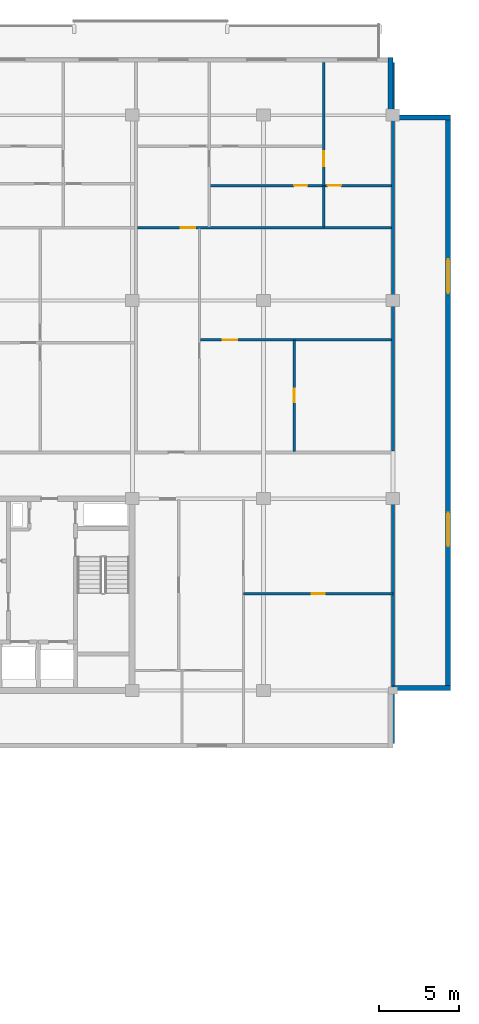
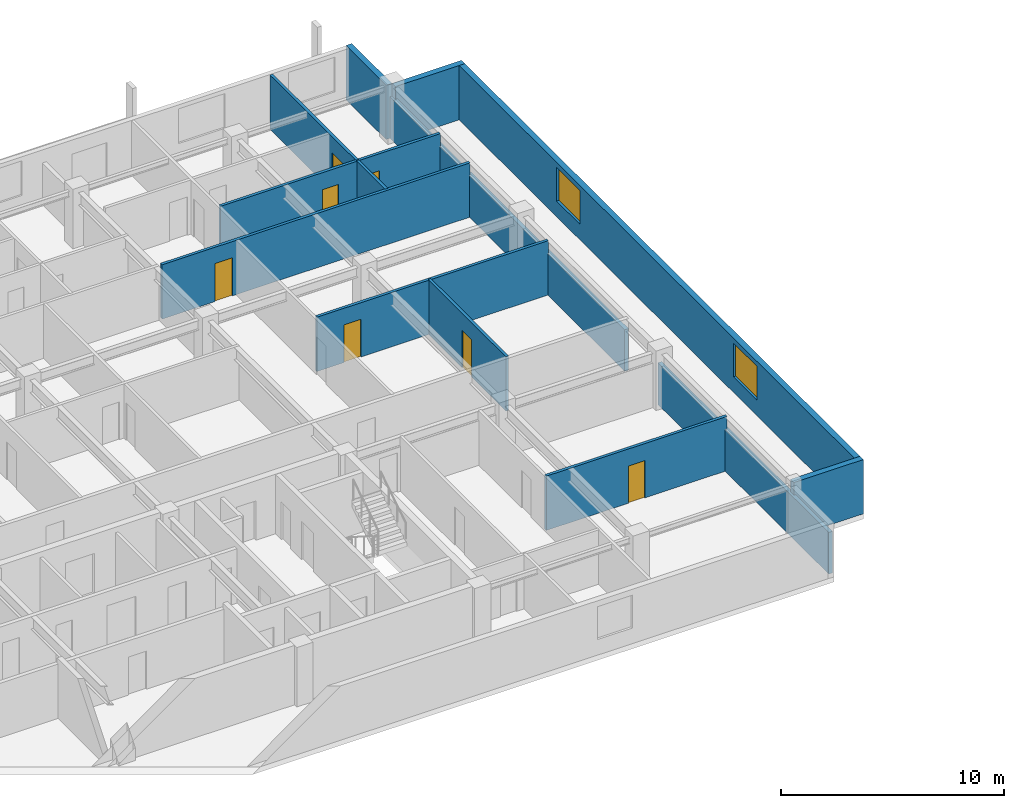
# One storey, part 24 of 30: 13 walls, 7 doors, 2 windows, 9 openings.
"""IFC4 building model written with IfcOpenShell, lengths in metres."""

from ifc_helpers import new_model, si_unit, direction, frame, frame_2d, origin, place, context, subcontext, project, spatial, rectangle, extrude, material, layer, layer_set, type_object, element, fill, save


model = new_model("IFC4")

# Units and contexts
model_context = context("Model", 3, precision=1e-05, world=origin(), true_north=direction((0.0, 1.0)))
body_context = subcontext(model_context, "Body", "Model", "MODEL_VIEW")
ifc_project = project(units=[si_unit("LENGTHUNIT", "METRE"), si_unit("AREAUNIT", "SQUARE_METRE"), si_unit("VOLUMEUNIT", "CUBIC_METRE"), si_unit("PLANEANGLEUNIT", "RADIAN"), si_unit("MASSUNIT", "GRAM", prefix="KILO")], contexts=[model_context])

# Site, building, storey
site_placement = place(None, origin())
site = spatial("IfcSite", under=ifc_project, at=site_placement, CompositionType="ELEMENT")
building_placement = place(site_placement, origin())
building = spatial("IfcBuilding", under=site, at=building_placement, Name="Korimba Cascade Residences", CompositionType="ELEMENT")
storey_placement = place(building_placement, frame((0.0, 0.0, 201.10009765625)))
storey = spatial("IfcBuildingStorey", under=building, at=storey_placement, Name="L58", CompositionType="ELEMENT", Elevation=201.10009765625)

# Wall
ifc_material_1 = material(Name="Precast concrete C40/50", Category="concrete")
ifc_layer_1 = layer(ifc_material_1, 0.300048828125)
ifc_layer_set_1 = layer_set([ifc_layer_1], Name="Precast concrete C40/50")
wall_type_1 = type_object("IfcWallType", Name="EW-STONE-300", PredefinedType="STANDARD", material=ifc_layer_set_1)
wall_1_placement = place(storey_placement, frame((128.39990234375, 55.35009765625, 0.0), z_axis=(0.0, 0.0, 1.0), x_axis=(1.0, 0.0, 0.0)))
element("IfcWall", 1, at=wall_1_placement, inside=storey, type_object=wall_type_1, Name="L58 T1 Perimeter Stone Wall E02", PredefinedType="STANDARD", context=body_context, shape_type="SweptSolid", body=[
    extrude(rectangle(XDim=3.60009765625, YDim=0.300048828125, at=frame_2d((1.800048828125, 0.0))), origin(), (0.0, 0.0, 1.0), 2.969970703125),
])

# Wall, openings, windows
wall_2_placement = place(storey_placement, frame((131.85009765625, 55.199951171875, 0.0), z_axis=(0.0, 0.0, 1.0), x_axis=(0.0, 1.0, 0.0)))
wall_2 = element("IfcWall", 2, at=wall_2_placement, inside=storey, type_object=wall_type_1, Name="L58 T1 Perimeter Stone Wall E03", PredefinedType="STANDARD", context=body_context, shape_type="SweptSolid", body=[
    extrude(rectangle(XDim=36.0, YDim=0.300048828125, at=frame_2d((18.0, 0.0))), origin(), (0.0, 0.0, 1.0), 2.969970703125),
])
opening_1_placement = place(wall_2_placement, frame((9.030029296875, 0.0, 0.85009765625)))
opening_1 = element("IfcOpeningElement", 3, at=opening_1_placement, cuts=wall_2, Name="Opening W-03", PredefinedType="OPENING", context=body_context, shape_type="SweptSolid", body=[
    extrude(rectangle(XDim=2.10009765625, YDim=1.85009765625, at=frame_2d((1.050048828125, 0.925048828125))), frame((0.0, 0.16015625, 0.0), z_axis=(0.0, -1.0, 0.0), x_axis=(1.0, 0.0, 0.0)), (0.0, 0.0, 1.0), 0.320068359375),
])
opening_2_placement = place(wall_2_placement, frame((24.8701171875, 0.0, 0.85009765625)))
opening_2 = element("IfcOpeningElement", 4, at=opening_2_placement, cuts=wall_2, Name="Opening W-03", PredefinedType="OPENING", context=body_context, shape_type="SweptSolid", body=[
    extrude(rectangle(XDim=2.10009765625, YDim=1.85009765625, at=frame_2d((1.050048828125, 0.925048828125))), frame((0.0, 0.16015625, 0.0), z_axis=(0.0, -1.0, 0.0), x_axis=(1.0, 0.0, 0.0)), (0.0, 0.0, 1.0), 0.320068359375),
])
ifc_material_2 = material(Name="Double-Glazed Aluminium Window", Category="aluminium")
window_type = type_object("IfcWindowType", Name="WIN-CRN-2100", PartitioningType="DOUBLE_PANEL_HORIZONTAL", PredefinedType="WINDOW", material=ifc_material_2)
window_1_placement = place(opening_1_placement, origin())
window_1 = element("IfcWindow", 5, at=window_1_placement, inside=storey, type_object=window_type, Name="L58 T1 End View Window 3.1", OverallHeight=1.85009765625, OverallWidth=2.10009765625, PartitioningType="DOUBLE_PANEL_HORIZONTAL", PredefinedType="WINDOW", context=body_context, shape_type="SweptSolid", body=[
    extrude(rectangle(XDim=2.10009765625, YDim=1.85009765625, at=frame_2d((1.050048828125, 0.925048828125))), frame((0.0, 0.030029296875, 0.0), z_axis=(0.0, -1.0, 0.0), x_axis=(1.0, 0.0, 0.0)), (0.0, 0.0, 1.0), 0.06005859375),
])
fill(opening_1, window_1)
window_2_placement = place(opening_2_placement, origin())
window_2 = element("IfcWindow", 6, at=window_2_placement, inside=storey, type_object=window_type, Name="L58 T1 End View Window 3.2", OverallHeight=1.85009765625, OverallWidth=2.10009765625, PartitioningType="DOUBLE_PANEL_HORIZONTAL", PredefinedType="WINDOW", context=body_context, shape_type="SweptSolid", body=[
    extrude(rectangle(XDim=2.10009765625, YDim=1.85009765625, at=frame_2d((1.050048828125, 0.925048828125))), frame((0.0, 0.030029296875, 0.0), z_axis=(0.0, -1.0, 0.0), x_axis=(1.0, 0.0, 0.0)), (0.0, 0.0, 1.0), 0.06005859375),
])
fill(opening_2, window_2)

# Walls
for number, where, z_axis, x_axis, name in (
    (7, (132.0, 91.050048828125, 0.0), (0.0, 0.0, 1.0), (-1.0, 0.0, 0.0), "L58 T1 Perimeter Stone Wall E04"),
    (8, (128.25, 91.199951171875, 0.0), (0.0, 0.0, 1.0), (0.0, 1.0, 0.0), "L58 T1 Perimeter Stone Wall E05"),
):
    element("IfcWall", number, at=place(storey_placement, frame(where, z_axis=z_axis, x_axis=x_axis)), inside=storey, type_object=wall_type_1, Name=name, PredefinedType="STANDARD", context=body_context, shape_type="SweptSolid", body=[
        extrude(rectangle(XDim=3.60009765625, YDim=0.300048828125, at=frame_2d((1.800048828125, 0.0))), origin(), (0.0, 0.0, 1.0), 2.969970703125),
    ])
ifc_layer_2 = layer(ifc_material_1, 0.199951171875)
ifc_layer_set_2 = layer_set([ifc_layer_2], Name="Precast concrete C40/50")
wall_type_2 = type_object("IfcWallType", Name="WAL-IT-200", PredefinedType="PARTITIONING", material=ifc_layer_set_2)
wall_3_placement = place(storey_placement, frame((128.39990234375, 51.89990234375, 0.0), z_axis=(0.0, 0.0, 1.0), x_axis=(0.0, 1.0, 0.0)))
element("IfcWall", 9, at=wall_3_placement, inside=storey, type_object=wall_type_2, Name="L58 Partition Wall WAL-L58-T1-FE-WR", PredefinedType="PARTITIONING", context=body_context, shape_type="SweptSolid", body=[
    extrude(rectangle(XDim=15.300048828125, YDim=0.199951171875, at=frame_2d((7.64990234375, 0.0))), origin(), (0.0, 0.0, 1.0), 2.277099609375),
])
wall_4_placement = place(storey_placement, frame((128.39990234375, 70.179931640625, 0.0), z_axis=(0.0, 0.0, 1.0), x_axis=(0.0, 1.0, 0.0)))
element("IfcWall", 10, at=wall_4_placement, inside=storey, type_object=wall_type_2, Name="L58 Partition Wall WAL-L58-T1-BNDWR", PredefinedType="PARTITIONING", context=body_context, shape_type="SweptSolid", body=[
    extrude(rectangle(XDim=24.320068359375, YDim=0.199951171875, at=frame_2d((12.16015625, 0.0))), origin(), (0.0, 0.0, 1.0), 2.277099609375),
])

# Wall, opening, door
ifc_material_3 = material(Name="Insulated Acoustic Stud Partition", Category="gypsum")
ifc_layer_3 = layer(ifc_material_3, 0.14990234375)
ifc_layer_set_3 = layer_set([ifc_layer_3], Name="Insulated Acoustic Stud Partition")
wall_type_3 = type_object("IfcWallType", Name="WAL-PART-150", PredefinedType="PARTITIONING", material=ifc_layer_set_3)
wall_5_placement = place(storey_placement, frame((119.050048828125, 61.25, 0.0), z_axis=(0.0, 0.0, 1.0), x_axis=(1.0, 0.0, 0.0)))
wall_5 = element("IfcWall", 11, at=wall_5_placement, inside=storey, type_object=wall_type_3, Name="L58 Partition Wall WAL-L58-T1-FE-STH", PredefinedType="PARTITIONING", context=body_context, shape_type="SweptSolid", body=[
    extrude(rectangle(XDim=9.349853515625, YDim=0.14990234375, at=frame_2d((4.6748046875, 0.0))), origin(), (0.0, 0.0, 1.0), 2.969970703125),
])
opening_3_placement = place(wall_5_placement, frame((4.2548828125, 0.0, 0.0)))
opening_3 = element("IfcOpeningElement", 12, at=opening_3_placement, cuts=wall_5, Name="Opening D-BT1", PredefinedType="OPENING", context=body_context, shape_type="SweptSolid", body=[
    extrude(rectangle(XDim=0.840087890625, YDim=2.0400390625, at=frame_2d((0.419921875, 1.02001953125))), frame((0.0, 0.0849609375, 0.0), z_axis=(0.0, -1.0, 0.0), x_axis=(1.0, 0.0, 0.0)), (0.0, 0.0, 1.0), 0.169921875),
])
ifc_material_4 = material(Name="Moisture-Resistant Bathroom Timber Door", Category="wood")
door_type_1 = type_object("IfcDoorType", Name="DR-INT-850", OperationType="NOTDEFINED", PredefinedType="DOOR", material=ifc_material_4)
door_1_placement = place(opening_3_placement, origin())
door_1 = element("IfcDoor", 13, at=door_1_placement, inside=storey, type_object=door_type_1, Name="L58-T1-FE Dressing Store Door", OperationType="SINGLE_SWING_RIGHT", OverallHeight=2.0400390625, OverallWidth=0.840087890625, PredefinedType="DOOR", context=body_context, shape_type="SweptSolid", body=[
    extrude(rectangle(XDim=0.840087890625, YDim=2.0400390625, at=frame_2d((0.419921875, 1.02001953125))), frame((0.0, 0.02490234375, 0.0), z_axis=(0.0, -1.0, 0.0), x_axis=(1.0, 0.0, 0.0)), (0.0, 0.0, 1.0), 0.050048828125),
])
fill(opening_3, door_1)

wall_6_placement = place(storey_placement, frame((122.2177734375, 70.159912109375, 0.0), z_axis=(0.0, 0.0, 1.0), x_axis=(0.0, 1.0, 0.0)))
wall_6 = element("IfcWall", 14, at=wall_6_placement, inside=storey, type_object=wall_type_3, Name="L58 Partition Wall WAL-L58-T1-U04-FMV", PredefinedType="PARTITIONING", context=body_context, shape_type="SweptSolid", body=[
    extrude(rectangle(XDim=6.97509765625, YDim=0.14990234375, at=frame_2d((3.487548828125, 0.0))), origin(), (0.0, 0.0, 1.0), 2.969970703125),
])
opening_4_placement = place(wall_6_placement, frame((3.0673828125, 0.0, 0.0)))
opening_4 = element("IfcOpeningElement", 15, at=opening_4_placement, cuts=wall_6, Name="Opening D-BT1", PredefinedType="OPENING", context=body_context, shape_type="SweptSolid", body=[
    extrude(rectangle(XDim=0.840087890625, YDim=2.0400390625, at=frame_2d((0.419921875, 1.02001953125))), frame((0.0, 0.0849609375, 0.0), z_axis=(0.0, -1.0, 0.0), x_axis=(1.0, 0.0, 0.0)), (0.0, 0.0, 1.0), 0.169921875),
])
door_2_placement = place(opening_4_placement, origin())
door_2 = element("IfcDoor", 16, at=door_2_placement, inside=storey, type_object=door_type_1, Name="L58-T1-U04 Wardrobe Door", OperationType="SINGLE_SWING_LEFT", OverallHeight=2.0400390625, OverallWidth=0.840087890625, PredefinedType="DOOR", context=body_context, shape_type="SweptSolid", body=[
    extrude(rectangle(XDim=0.840087890625, YDim=2.0400390625, at=frame_2d((0.419921875, 1.02001953125))), frame((0.0, 0.02490234375, 0.0), z_axis=(0.0, -1.0, 0.0), x_axis=(1.0, 0.0, 0.0)), (0.0, 0.0, 1.0), 0.050048828125),
])
fill(opening_4, door_2)

wall_7_placement = place(storey_placement, frame((116.355712890625, 77.135009765625, 0.0), z_axis=(0.0, 0.0, 1.0), x_axis=(1.0, 0.0, 0.0)))
wall_7 = element("IfcWall", 17, at=wall_7_placement, inside=storey, type_object=wall_type_3, Name="L58 Partition Wall WAL-L58-T1-U04-FMH", PredefinedType="PARTITIONING", context=body_context, shape_type="SweptSolid", body=[
    extrude(rectangle(XDim=11.96435546875, YDim=0.14990234375, at=frame_2d((5.982177734375, 0.0))), origin(), (0.0, 0.0, 1.0), 2.969970703125),
])
opening_5_placement = place(wall_7_placement, frame((1.408935546875, 0.0, 0.0)))
opening_5 = element("IfcOpeningElement", 18, at=opening_5_placement, cuts=wall_7, Name="Opening D-IN2", PredefinedType="OPENING", context=body_context, shape_type="SweptSolid", body=[
    extrude(rectangle(XDim=0.8798828125, YDim=2.06005859375, at=frame_2d((0.43994140625, 1.030029296875))), frame((0.0, 0.0849609375, 0.0), z_axis=(0.0, -1.0, 0.0), x_axis=(1.0, 0.0, 0.0)), (0.0, 0.0, 1.0), 0.169921875),
])
ifc_material_5 = material(Name="Acoustic Timber Bedroom Door", Category="wood")
door_type_2 = type_object("IfcDoorType", Name="DR-INT-880", OperationType="NOTDEFINED", PredefinedType="DOOR", material=ifc_material_5)
door_3_placement = place(opening_5_placement, origin())
door_3 = element("IfcDoor", 19, at=door_3_placement, inside=storey, type_object=door_type_2, Name="L58-T1-U04 Library Salon Door", OperationType="SINGLE_SWING_RIGHT", OverallHeight=2.06005859375, OverallWidth=0.8798828125, PredefinedType="DOOR", context=body_context, shape_type="SweptSolid", body=[
    extrude(rectangle(XDim=0.8798828125, YDim=2.06005859375, at=frame_2d((0.43994140625, 1.030029296875))), frame((0.0, 0.02490234375, 0.0), z_axis=(0.0, -1.0, 0.0), x_axis=(1.0, 0.0, 0.0)), (0.0, 0.0, 1.0), 0.050048828125),
])
fill(opening_5, door_3)

# Wall
wall_8_placement = place(storey_placement, frame((124.070068359375, 84.18994140625, 0.0), z_axis=(0.0, 0.0, 1.0), x_axis=(0.0, 1.0, 0.0)))
element("IfcWall", 20, at=wall_8_placement, inside=storey, type_object=wall_type_3, Name="L58 Partition Wall WAL-L58-T1-U04-VBATH", PredefinedType="PARTITIONING", context=body_context, shape_type="SweptSolid", body=[
    extrude(rectangle(XDim=2.580078125, YDim=0.14990234375, at=frame_2d((1.2900390625, 0.0))), origin(), (0.0, 0.0, 1.0), 2.969970703125),
])

# Wall, opening, door
wall_9_placement = place(storey_placement, frame((124.070068359375, 86.81005859375, 0.0), z_axis=(0.0, 0.0, 1.0), x_axis=(0.0, 1.0, 0.0)))
wall_9 = element("IfcWall", 21, at=wall_9_placement, inside=storey, type_object=wall_type_3, Name="L58 Partition Wall WAL-L58-T1-U04-V2FULL", PredefinedType="PARTITIONING", context=body_context, shape_type="SweptSolid", body=[
    extrude(rectangle(XDim=7.68994140625, YDim=0.14990234375, at=frame_2d((3.844970703125, 0.0))), origin(), (0.0, 0.0, 1.0), 2.969970703125),
])
opening_6_placement = place(wall_9_placement, frame((1.199951171875, 0.0, 0.0)))
opening_6 = element("IfcOpeningElement", 22, at=opening_6_placement, cuts=wall_9, Name="Opening D-IN1", PredefinedType="OPENING", context=body_context, shape_type="SweptSolid", body=[
    extrude(rectangle(XDim=0.919921875, YDim=2.080078125, at=frame_2d((0.4599609375, 1.0400390625))), frame((0.0, 0.0849609375, 0.0), z_axis=(0.0, -1.0, 0.0), x_axis=(1.0, 0.0, 0.0)), (0.0, 0.0, 1.0), 0.169921875),
])
ifc_material_6 = material(Name="Acoustic Timber Living Door", Category="wood")
door_type_3 = type_object("IfcDoorType", Name="DR-INT-920", OperationType="NOTDEFINED", PredefinedType="DOOR", material=ifc_material_6)
door_4_placement = place(opening_6_placement, origin())
door_4 = element("IfcDoor", 23, at=door_4_placement, inside=storey, type_object=door_type_3, Name="L58-T1-U04 Master Bedroom Door", OperationType="SINGLE_SWING_LEFT", OverallHeight=2.080078125, OverallWidth=0.919921875, PredefinedType="DOOR", context=body_context, shape_type="SweptSolid", body=[
    extrude(rectangle(XDim=0.919921875, YDim=2.080078125, at=frame_2d((0.4599609375, 1.0400390625))), frame((0.0, 0.02490234375, 0.0), z_axis=(0.0, -1.0, 0.0), x_axis=(1.0, 0.0, 0.0)), (0.0, 0.0, 1.0), 0.050048828125),
])
fill(opening_6, door_4)

# Wall, openings, doors
wall_10_placement = place(storey_placement, frame((116.945556640625, 86.7900390625, 0.0), z_axis=(0.0, 0.0, 1.0), x_axis=(1.0, 0.0, 0.0)))
wall_10 = element("IfcWall", 24, at=wall_10_placement, inside=storey, type_object=wall_type_3, Name="L58 Partition Wall WAL-L58-T1-U04-HWALL", PredefinedType="PARTITIONING", context=body_context, shape_type="SweptSolid", body=[
    extrude(rectangle(XDim=11.37451171875, YDim=0.14990234375, at=frame_2d((5.687255859375, 0.0))), origin(), (0.0, 0.0, 1.0), 2.969970703125),
])
opening_7_placement = place(wall_10_placement, frame((5.26708984375, 0.0, 0.0)))
opening_7 = element("IfcOpeningElement", 25, at=opening_7_placement, cuts=wall_10, Name="Opening D-BT1", PredefinedType="OPENING", context=body_context, shape_type="SweptSolid", body=[
    extrude(rectangle(XDim=0.840087890625, YDim=2.0400390625, at=frame_2d((0.419921875, 1.02001953125))), frame((0.0, 0.0849609375, 0.0), z_axis=(0.0, -1.0, 0.0), x_axis=(1.0, 0.0, 0.0)), (0.0, 0.0, 1.0), 0.169921875),
])
opening_8_placement = place(wall_10_placement, frame((7.37451171875, 0.0, 0.0)))
opening_8 = element("IfcOpeningElement", 26, at=opening_8_placement, cuts=wall_10, Name="Opening D-BT1", PredefinedType="OPENING", context=body_context, shape_type="SweptSolid", body=[
    extrude(rectangle(XDim=0.840087890625, YDim=2.0400390625, at=frame_2d((0.419921875, 1.02001953125))), frame((0.0, 0.0849609375, 0.0), z_axis=(0.0, -1.0, 0.0), x_axis=(1.0, 0.0, 0.0)), (0.0, 0.0, 1.0), 0.169921875),
])
door_5_placement = place(opening_7_placement, origin())
door_5 = element("IfcDoor", 27, at=door_5_placement, inside=storey, type_object=door_type_1, Name="L58-T1-U04 Family Bathroom Door", OperationType="SINGLE_SWING_RIGHT", OverallHeight=2.0400390625, OverallWidth=0.840087890625, PredefinedType="DOOR", context=body_context, shape_type="SweptSolid", body=[
    extrude(rectangle(XDim=0.840087890625, YDim=2.0400390625, at=frame_2d((0.419921875, 1.02001953125))), frame((0.0, 0.02490234375, 0.0), z_axis=(0.0, -1.0, 0.0), x_axis=(1.0, 0.0, 0.0)), (0.0, 0.0, 1.0), 0.050048828125),
])
fill(opening_7, door_5)
door_6_placement = place(opening_8_placement, origin())
door_6 = element("IfcDoor", 28, at=door_6_placement, inside=storey, type_object=door_type_1, Name="L58-T1-U04 En-Suite Door", OperationType="SINGLE_SWING_LEFT", OverallHeight=2.0400390625, OverallWidth=0.840087890625, PredefinedType="DOOR", context=body_context, shape_type="SweptSolid", body=[
    extrude(rectangle(XDim=0.840087890625, YDim=2.0400390625, at=frame_2d((0.419921875, 1.02001953125))), frame((0.0, 0.02490234375, 0.0), z_axis=(0.0, -1.0, 0.0), x_axis=(1.0, 0.0, 0.0)), (0.0, 0.0, 1.0), 0.050048828125),
])
fill(opening_8, door_6)

# Wall, opening, door
wall_11_placement = place(storey_placement, frame((112.405517578125, 84.14990234375, 0.0), z_axis=(0.0, 0.0, 1.0), x_axis=(1.0, 0.0, 0.0)))
wall_11 = element("IfcWall", 29, at=wall_11_placement, inside=storey, type_object=wall_type_3, Name="L58 Partition Wall WAL-L58-T1-U04-MW", PredefinedType="PARTITIONING", context=body_context, shape_type="SweptSolid", body=[
    extrude(rectangle(XDim=15.91455078125, YDim=0.14990234375, at=frame_2d((7.957275390625, 0.0))), origin(), (0.0, 0.0, 1.0), 2.969970703125),
])
opening_9_placement = place(wall_11_placement, frame((2.719970703125, 0.0, 0.0)))
opening_9 = element("IfcOpeningElement", 30, at=opening_9_placement, cuts=wall_11, Name="Opening D-IN1", PredefinedType="OPENING", context=body_context, shape_type="SweptSolid", body=[
    extrude(rectangle(XDim=0.919921875, YDim=2.080078125, at=frame_2d((0.4599609375, 1.0400390625))), frame((0.0, 0.0849609375, 0.0), z_axis=(0.0, -1.0, 0.0), x_axis=(1.0, 0.0, 0.0)), (0.0, 0.0, 1.0), 0.169921875),
])
door_7_placement = place(opening_9_placement, origin())
door_7 = element("IfcDoor", 31, at=door_7_placement, inside=storey, type_object=door_type_3, Name="L58-T1-U04 Kitchen Door", OperationType="SINGLE_SWING_RIGHT", OverallHeight=2.080078125, OverallWidth=0.919921875, PredefinedType="DOOR", context=body_context, shape_type="SweptSolid", body=[
    extrude(rectangle(XDim=0.919921875, YDim=2.080078125, at=frame_2d((0.4599609375, 1.0400390625))), frame((0.0, 0.02490234375, 0.0), z_axis=(0.0, -1.0, 0.0), x_axis=(1.0, 0.0, 0.0)), (0.0, 0.0, 1.0), 0.050048828125),
])
fill(opening_9, door_7)

save(model, "model.ifc")
